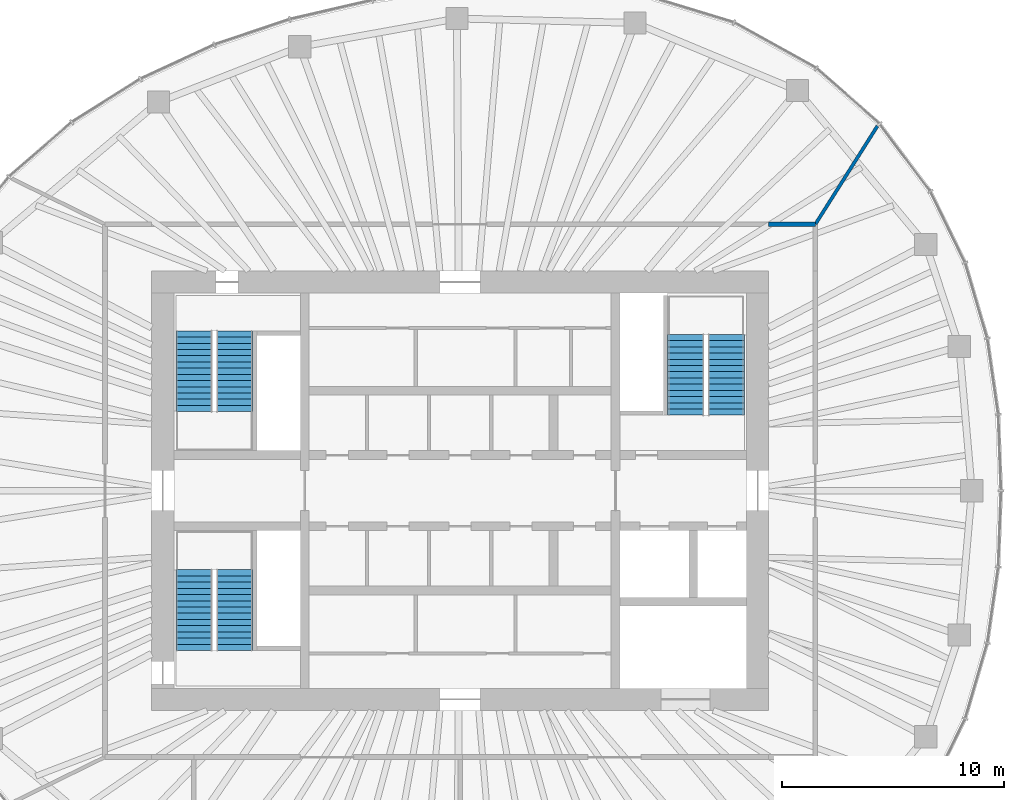
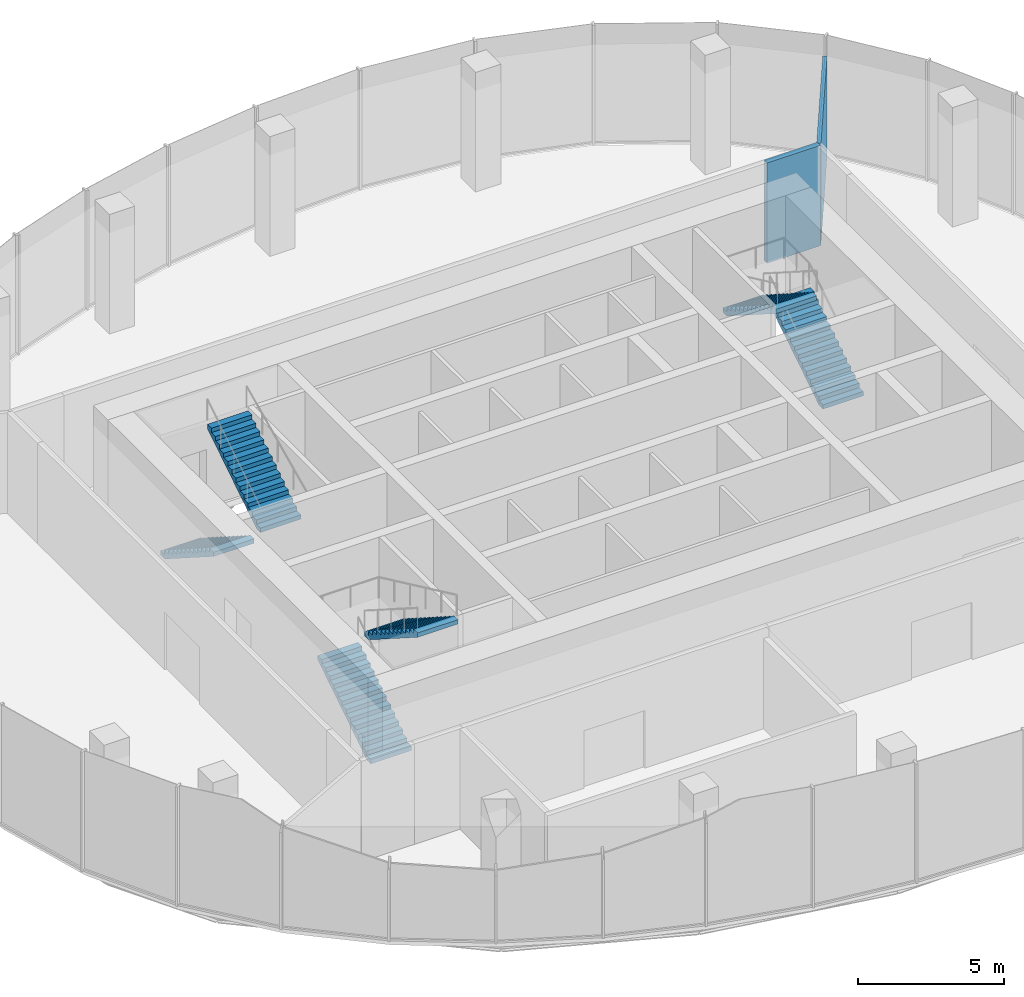
# One storey, part 10 of 11: 6 stair flights, 2 walls, 3 elements without a shape of their own.
"""IFC4 building model written with IfcOpenShell, lengths in metres."""

import ifcopenshell
import ifcopenshell.guid

model = None  # the IFC model being written
_history = None  # IfcOwnerHistory: only IFC2X3 demands one
_inside = {}  # id of a spatial element -> (the spatial element, [elements in it])
_under = {}  # id of a project, library or spatial element -> (it, [spatial elements below it])
_declared = {}  # id of a project -> (the project, [libraries it declares])
_typed = {}  # id of a type object -> (the type object, [elements of that type])
_made_of = {}  # id of a material, layer set ... -> (it, [elements and type objects made of it])


def new_model(schema):
    """Start an empty IFC model of exactly this schema.

    Asked for "IFC4X3", IfcOpenShell would pick the latest addendum, in which some entities
    have other attributes; the version numbers below select the first issue.
    IFC2X3 requires an IfcOwnerHistory on every rooted entity: one is made here for all.
    """
    global model, _history
    if schema == "IFC4X3":
        model = ifcopenshell.file(schema_version=(4, 3, 0, 0))
    else:
        model = ifcopenshell.file(schema=schema)
    _inside.clear()
    _under.clear()
    _declared.clear()
    _typed.clear()
    _made_of.clear()
    _history = None
    if model.schema == "IFC2X3":
        org = make("IfcOrganization", Name="unknown")
        user = make(
            "IfcPersonAndOrganization",
            ThePerson=make("IfcPerson", FamilyName="unknown"),
            TheOrganization=org,
        )
        app = make(
            "IfcApplication",
            ApplicationDeveloper=org,
            Version="unknown",
            ApplicationFullName="unknown",
            ApplicationIdentifier="unknown",
        )
        _history = make(
            "IfcOwnerHistory",
            OwningUser=user,
            OwningApplication=app,
            ChangeAction="ADDED",
            CreationDate=0,
        )
    return model


def make(cls, **values):
    """One entity of the class cls with the attributes given. An attribute that is None is left unset."""
    return model.create_entity(
        cls, **{name: value for name, value in values.items() if value is not None}
    )


def rooted(cls, **values):
    """An entity with a GlobalId (a new one), such as an element, a storey or a relation."""
    return make(cls, GlobalId=ifcopenshell.guid.new(), OwnerHistory=_history, **values)


def si_unit(unit_type, name, prefix=None):
    """IfcSIUnit, for example si_unit("LENGTHUNIT", "METRE", prefix="MILLI")."""
    return make("IfcSIUnit", UnitType=unit_type, Prefix=prefix, Name=name)


def assignment(units):
    """IfcUnitAssignment: the units of a project."""
    return None if units is None else make("IfcUnitAssignment", Units=units)


def point(xyz):
    """IfcCartesianPoint."""
    return None if xyz is None else make("IfcCartesianPoint", Coordinates=xyz)


def direction(xyz):
    """IfcDirection."""
    return None if xyz is None else make("IfcDirection", DirectionRatios=xyz)


def frame(location, z_axis=None, x_axis=None):
    """IfcAxis2Placement3D, a coordinate frame: its origin and axes. An axis left out is left unset."""
    return make(
        "IfcAxis2Placement3D",
        Location=point(location),
        Axis=direction(z_axis),
        RefDirection=direction(x_axis),
    )


def frame_2d(location, x_axis=None):
    """IfcAxis2Placement2D, a coordinate frame in the plane: its origin and x axis."""
    return make(
        "IfcAxis2Placement2D", Location=point(location), RefDirection=direction(x_axis)
    )


def origin():
    """The frame at (0, 0, 0) with its axes left unset."""
    return frame((0.0, 0.0, 0.0))


def place(relative_to, where):
    """IfcLocalPlacement: puts the frame where relative to a parent placement (None: the world)."""
    return make(
        "IfcLocalPlacement", PlacementRelTo=relative_to, RelativePlacement=where
    )


def context(
    kind, dimensions, precision=None, world=None, true_north=None, identifier=None
):
    """IfcGeometricRepresentationContext, for example the 3D "Model" context."""
    return make(
        "IfcGeometricRepresentationContext",
        ContextIdentifier=identifier,
        ContextType=kind,
        CoordinateSpaceDimension=dimensions,
        Precision=precision,
        WorldCoordinateSystem=world,
        TrueNorth=true_north,
    )


def subcontext(parent, identifier, kind, view, scale=None):
    """IfcGeometricRepresentationSubContext, for example "Body" below "Model"."""
    return make(
        "IfcGeometricRepresentationSubContext",
        ContextIdentifier=identifier,
        ContextType=kind,
        ParentContext=parent,
        TargetScale=scale,
        TargetView=view,
    )


def project(units=None, contexts=None):
    """IfcProject with its units and contexts."""
    return rooted(
        "IfcProject",
        Name="project",
        RepresentationContexts=contexts,
        UnitsInContext=assignment(units),
    )


def spatial(cls, under=None, at=None, **own):
    """A site, building, storey or space (cls), placed at a placement, below another one or the project."""
    s = rooted(cls, ObjectPlacement=at, **own)
    if under is not None:
        _under.setdefault(under.id(), (under, []))[1].append(s)
    return s


def polyline(points):
    """IfcPolyline through the points."""
    return make("IfcPolyline", Points=[point(p) for p in points])


def profile(cls, at=None, kind="AREA", **sizes):
    """A parametric profile (cls). Its sizes go by their IFC names, for example OverallWidth=200.0."""
    return make(cls, ProfileType=kind, Position=at, **sizes)


def rectangle(**sizes):
    """IfcRectangleProfileDef."""
    return profile("IfcRectangleProfileDef", **sizes)


def outline(outer, holes=None, kind="AREA"):
    """IfcArbitraryClosedProfileDef: a profile drawn as a closed curve; with holes, ...WithVoids."""
    if holes is None:
        return make("IfcArbitraryClosedProfileDef", ProfileType=kind, OuterCurve=outer)
    return make(
        "IfcArbitraryProfileDefWithVoids",
        ProfileType=kind,
        OuterCurve=outer,
        InnerCurves=holes,
    )


def extrude(swept, where, along, depth):
    """IfcExtrudedAreaSolid: the profile swept, set in the frame where, extruded along a direction by depth."""
    return make(
        "IfcExtrudedAreaSolid",
        SweptArea=swept,
        Position=where,
        ExtrudedDirection=direction(along),
        Depth=depth,
    )


def shape(context_of_items, identifier, shape_type, items):
    """IfcShapeRepresentation: the items that make up one representation, for example the "Body"."""
    return make(
        "IfcShapeRepresentation",
        ContextOfItems=context_of_items,
        RepresentationIdentifier=identifier,
        RepresentationType=shape_type,
        Items=items,
    )


def material(Name=None, Category=None):
    """IfcMaterial."""
    return make("IfcMaterial", Name=Name, Category=Category)


def layer(
    of_material, thickness, ventilated=None, Name=None, Category=None, Priority=None
):
    """IfcMaterialLayer: one layer of a wall or slab, of a material (None: an air gap)."""
    return make(
        "IfcMaterialLayer",
        Material=of_material,
        LayerThickness=thickness,
        IsVentilated=ventilated,
        Name=Name,
        Category=Category,
        Priority=Priority,
    )


def layer_set(layers, Name=None):
    """IfcMaterialLayerSet."""
    return make("IfcMaterialLayerSet", MaterialLayers=layers, LayerSetName=Name)


def made_of(thing, what):
    """Note that an element or type object is made of a material, layer set ...; save() writes the relation."""
    if what is not None:
        _made_of.setdefault(what.id(), (what, []))[1].append(thing)
    return thing


def type_object(cls, material=None, **own):
    """A type object (cls), such as IfcWallType, which elements share."""
    return made_of(rooted(cls, **own), material)


def element(
    cls,
    number,
    at=None,
    inside=None,
    cuts=None,
    type_object=None,
    material=None,
    context=None,
    identifier="Body",
    shape_type=None,
    held_by="IfcProductDefinitionShape",
    body=None,
    shapes=None,
    **own,
):
    """One element of the class cls, such as IfcWall. Its Tag is "e" and its number.

    at: its placement. inside: the storey or other place that contains it. cuts: it is an
    opening in that element (IfcRelVoidsElement). A single representation is given by context,
    identifier, shape_type and body (its items); several are given by shapes. held_by: the class
    of the entity that holds the representations. save() writes the other relations.
    """
    e = rooted(cls, Tag="e%d" % number, ObjectPlacement=at, **own)
    if body is not None:
        shapes = [shape(context, identifier, shape_type, body)]
    if shapes is not None:
        e.Representation = make(held_by, Representations=shapes)
    if inside is not None:
        _inside.setdefault(inside.id(), (inside, []))[1].append(e)
    if cuts is not None:
        rooted(
            "IfcRelVoidsElement", RelatingBuildingElement=cuts, RelatedOpeningElement=e
        )
    if type_object is not None:
        _typed.setdefault(type_object.id(), (type_object, []))[1].append(e)
    return made_of(e, material)


def aggregate(whole, parts):
    """IfcRelAggregates: a whole, such as a stair, and the parts it consists of."""
    return rooted("IfcRelAggregates", RelatingObject=whole, RelatedObjects=parts)


def save(model, path):
    """Write the relations noted so far, then the file.

    IfcRelAggregates (storeys below a building ...), IfcRelContainedInSpatialStructure (elements
    in a storey), IfcRelDefinesByType, IfcRelAssociatesMaterial and IfcRelDeclares: one each for
    every whole, place, type object, material and project.
    """
    for whole, parts in _under.values():
        aggregate(whole, parts)
    for where, things in _inside.values():
        rooted(
            "IfcRelContainedInSpatialStructure",
            RelatedElements=things,
            RelatingStructure=where,
        )
    for kind, things in _typed.values():
        rooted("IfcRelDefinesByType", RelatedObjects=things, RelatingType=kind)
    for what, things in _made_of.values():
        rooted("IfcRelAssociatesMaterial", RelatedObjects=things, RelatingMaterial=what)
    for by, libraries in _declared.values():
        rooted("IfcRelDeclares", RelatingContext=by, RelatedDefinitions=libraries)
    model.write(path)


model = new_model("IFC4")

# Units and contexts
model_context = context("Model", 3, precision=1e-05, world=origin(), true_north=direction((0.0, 1.0)))
body_context = subcontext(model_context, "Body", "Model", "MODEL_VIEW")
ifc_project = project(units=[si_unit("LENGTHUNIT", "METRE"), si_unit("AREAUNIT", "SQUARE_METRE"), si_unit("VOLUMEUNIT", "CUBIC_METRE"), si_unit("PLANEANGLEUNIT", "RADIAN"), si_unit("MASSUNIT", "GRAM", prefix="KILO")], contexts=[model_context])

# Site, building, storey
site_placement = place(None, origin())
site = spatial("IfcSite", under=ifc_project, at=site_placement, CompositionType="ELEMENT")
building_placement = place(site_placement, origin())
building = spatial("IfcBuilding", under=site, at=building_placement, Name="Ghaith Harvest Tower", CompositionType="ELEMENT")
storey_placement = place(building_placement, frame((0.0, 0.0, 339.199951171875)))
storey = spatial("IfcBuildingStorey", under=building, at=storey_placement, Name="L76", CompositionType="ELEMENT", Elevation=339.199951171875)

# Walls
ifc_material_1 = material(Name="Concrete blockwork, 1-hour", Category="masonry")
ifc_layer_1 = layer(ifc_material_1, 0.215087890625)
ifc_layer_set_1 = layer_set([ifc_layer_1], Name="BLOCKWORK WALL 215")
wall_type_1 = type_object("IfcWallType", Name="BLOCKWORK WALL 215", PredefinedType="PARTITIONING", material=ifc_layer_set_1)
wall_1_placement = place(storey_placement, frame((16.0, 12.0, 0.0), z_axis=(0.0, 0.0, 1.0), x_axis=(-1.0, 0.0, 0.0)))
element("IfcWall", 1, at=wall_1_placement, inside=storey, type_object=wall_type_1, Name="Plant room wall L76", PredefinedType="PARTITIONING", context=body_context, shape_type="SweptSolid", body=[
    extrude(rectangle(XDim=2.10009765625, YDim=0.215087890625, at=frame_2d((1.050048828125, 0.0))), origin(), (0.0, 0.0, 1.0), 4.199951171875),
])
ifc_material_2 = material(Name="Gypsum board on steel studs", Category="steel")
ifc_layer_2 = layer(ifc_material_2, 0.14990234375)
ifc_layer_set_2 = layer_set([ifc_layer_2], Name="PARTITION 150")
wall_type_2 = type_object("IfcWallType", Name="PARTITION 150", PredefinedType="PARTITIONING", material=ifc_layer_set_2)
wall_2_placement = place(storey_placement, frame((16.0107421875, 12.016845703125, 0.0), z_axis=(0.0, 0.0, 1.0), x_axis=(0.53415837449, 0.845384427916, 0.0)))
element("IfcWall", 2, at=wall_2_placement, inside=storey, type_object=wall_type_2, Name="Partition L76 zone division", PredefinedType="PARTITIONING", context=body_context, shape_type="SweptSolid", body=[
    extrude(rectangle(XDim=5.220458984375, YDim=0.14990234375, at=frame_2d((2.6103515625, 0.0))), origin(), (0.0, 0.0, 1.0), 4.199951171875),
])

# Stair, stair flights
ifc_material_3 = material(Name="Concrete C40/50, precast", Category="concrete")
stair_type = type_object("IfcStairType", Name="CORE STAIR 28R", PredefinedType="HALF_TURN_STAIR", material=ifc_material_3)
stair_1_placement = place(storey_placement, origin())
stair_1 = element("IfcStair", 3, at=stair_1_placement, inside=storey, type_object=stair_type, Name="Stair ST1 L76", PredefinedType="HALF_TURN_STAIR")
ifc_material_4 = material(Name="Concrete C40/50, precast", Category="concrete")
stair_flight_type = type_object("IfcStairFlightType", Name="CORE FLIGHT 14R 1600", PredefinedType="STRAIGHT", material=ifc_material_4)
stair_flight_1_placement = place(storey_placement, frame((-12.0, 7.199951171875, 0.0), z_axis=(0.0, 0.0, 1.0), x_axis=(0.0, -1.0, 0.0)))
stair_flight_1 = element("IfcStairFlight", 4, at=stair_flight_1_placement, type_object=stair_flight_type, Name="ST1 flight 1", NumberOfRisers=14, NumberOfTreads=13, PredefinedType="STRAIGHT", RiserHeight=0.178571429, TreadLength=0.28, context=body_context, shape_type="SweptSolid", body=[
    extrude(outline(polyline([(0.0, 0.0), (0.0, 0.178466796875), (0.280029296875, 0.178466796875), (0.280029296875, 0.357177734375), (0.56005859375, 0.357177734375), (0.56005859375, 0.53564453125), (0.840087890625, 0.53564453125), (0.840087890625, 0.71435546875), (1.1201171875, 0.71435546875), (1.1201171875, 0.892822265625), (1.39990234375, 0.892822265625), (1.39990234375, 1.071533203125), (1.679931640625, 1.071533203125), (1.679931640625, 1.25), (1.9599609375, 1.25), (1.9599609375, 1.428466796875), (2.239990234375, 1.428466796875), (2.239990234375, 1.607177734375), (2.52001953125, 1.607177734375), (2.52001953125, 1.78564453125), (2.800048828125, 1.78564453125), (2.800048828125, 1.96435546875), (3.080078125, 1.96435546875), (3.080078125, 2.142822265625), (3.360107421875, 2.142822265625), (3.360107421875, 2.321533203125), (3.639892578125, 2.321533203125), (3.639892578125, 2.5), (3.639892578125, 2.1435546875), (0.27880859375, 0.0), (0.0, 0.0)])), frame((0.0, 0.800048828125, 0.0), z_axis=(0.0, -1.0, 0.0), x_axis=(1.0, 0.0, 0.0)), (0.0, 0.0, 1.0), 1.60009765625),
])
stair_flight_2_placement = place(storey_placement, frame((-10.14990234375, 3.56005859375, 2.5), z_axis=(0.0, 0.0, 1.0), x_axis=(0.0, 1.0, 0.0)))
stair_flight_2 = element("IfcStairFlight", 5, at=stair_flight_2_placement, type_object=stair_flight_type, Name="ST1 flight 2", NumberOfRisers=14, NumberOfTreads=13, PredefinedType="STRAIGHT", RiserHeight=0.178571429, TreadLength=0.28, context=body_context, shape_type="SweptSolid", body=[
    extrude(outline(polyline([(0.0, 0.0), (0.0, 0.178466796875), (0.280029296875, 0.178466796875), (0.280029296875, 0.357177734375), (0.56005859375, 0.357177734375), (0.56005859375, 0.53564453125), (0.840087890625, 0.53564453125), (0.840087890625, 0.71435546875), (1.1201171875, 0.71435546875), (1.1201171875, 0.892822265625), (1.39990234375, 0.892822265625), (1.39990234375, 1.071533203125), (1.679931640625, 1.071533203125), (1.679931640625, 1.25), (1.9599609375, 1.25), (1.9599609375, 1.428466796875), (2.239990234375, 1.428466796875), (2.239990234375, 1.607177734375), (2.52001953125, 1.607177734375), (2.52001953125, 1.78564453125), (2.800048828125, 1.78564453125), (2.800048828125, 1.96435546875), (3.080078125, 1.96435546875), (3.080078125, 2.142822265625), (3.360107421875, 2.142822265625), (3.360107421875, 2.321533203125), (3.639892578125, 2.321533203125), (3.639892578125, 2.5), (3.639892578125, 2.1435546875), (0.27880859375, 0.0), (0.0, 0.0)])), frame((0.0, 0.800048828125, 0.0), z_axis=(0.0, -1.0, 0.0), x_axis=(1.0, 0.0, 0.0)), (0.0, 0.0, 1.0), 1.60009765625),
])
aggregate(stair_1, [stair_flight_1, stair_flight_2])

stair_2_placement = place(storey_placement, origin())
stair_2 = element("IfcStair", 6, at=stair_2_placement, inside=storey, type_object=stair_type, Name="Stair ST3 L76", PredefinedType="HALF_TURN_STAIR")
stair_flight_3_placement = place(storey_placement, frame((-12.0, -7.199951171875, 0.0), z_axis=(0.0, 0.0, 1.0), x_axis=(0.0, 1.0, 0.0)))
stair_flight_3 = element("IfcStairFlight", 7, at=stair_flight_3_placement, type_object=stair_flight_type, Name="ST3 flight 1", NumberOfRisers=14, NumberOfTreads=13, PredefinedType="STRAIGHT", RiserHeight=0.178571429, TreadLength=0.28, context=body_context, shape_type="SweptSolid", body=[
    extrude(outline(polyline([(0.0, 0.0), (0.0, 0.178466796875), (0.280029296875, 0.178466796875), (0.280029296875, 0.357177734375), (0.56005859375, 0.357177734375), (0.56005859375, 0.53564453125), (0.840087890625, 0.53564453125), (0.840087890625, 0.71435546875), (1.1201171875, 0.71435546875), (1.1201171875, 0.892822265625), (1.39990234375, 0.892822265625), (1.39990234375, 1.071533203125), (1.679931640625, 1.071533203125), (1.679931640625, 1.25), (1.9599609375, 1.25), (1.9599609375, 1.428466796875), (2.239990234375, 1.428466796875), (2.239990234375, 1.607177734375), (2.52001953125, 1.607177734375), (2.52001953125, 1.78564453125), (2.800048828125, 1.78564453125), (2.800048828125, 1.96435546875), (3.080078125, 1.96435546875), (3.080078125, 2.142822265625), (3.360107421875, 2.142822265625), (3.360107421875, 2.321533203125), (3.639892578125, 2.321533203125), (3.639892578125, 2.5), (3.639892578125, 2.1435546875), (0.27880859375, 0.0), (0.0, 0.0)])), frame((0.0, 0.800048828125, 0.0), z_axis=(0.0, -1.0, 0.0), x_axis=(1.0, 0.0, 0.0)), (0.0, 0.0, 1.0), 1.60009765625),
])
stair_flight_4_placement = place(storey_placement, frame((-10.14990234375, -3.56005859375, 2.5), z_axis=(0.0, 0.0, 1.0), x_axis=(0.0, -1.0, 0.0)))
stair_flight_4 = element("IfcStairFlight", 8, at=stair_flight_4_placement, type_object=stair_flight_type, Name="ST3 flight 2", NumberOfRisers=14, NumberOfTreads=13, PredefinedType="STRAIGHT", RiserHeight=0.178571429, TreadLength=0.28, context=body_context, shape_type="SweptSolid", body=[
    extrude(outline(polyline([(0.0, 0.0), (0.0, 0.178466796875), (0.280029296875, 0.178466796875), (0.280029296875, 0.357177734375), (0.56005859375, 0.357177734375), (0.56005859375, 0.53564453125), (0.840087890625, 0.53564453125), (0.840087890625, 0.71435546875), (1.1201171875, 0.71435546875), (1.1201171875, 0.892822265625), (1.39990234375, 0.892822265625), (1.39990234375, 1.071533203125), (1.679931640625, 1.071533203125), (1.679931640625, 1.25), (1.9599609375, 1.25), (1.9599609375, 1.428466796875), (2.239990234375, 1.428466796875), (2.239990234375, 1.607177734375), (2.52001953125, 1.607177734375), (2.52001953125, 1.78564453125), (2.800048828125, 1.78564453125), (2.800048828125, 1.96435546875), (3.080078125, 1.96435546875), (3.080078125, 2.142822265625), (3.360107421875, 2.142822265625), (3.360107421875, 2.321533203125), (3.639892578125, 2.321533203125), (3.639892578125, 2.5), (3.639892578125, 2.1435546875), (0.27880859375, 0.0), (0.0, 0.0)])), frame((0.0, 0.800048828125, 0.0), z_axis=(0.0, -1.0, 0.0), x_axis=(1.0, 0.0, 0.0)), (0.0, 0.0, 1.0), 1.60009765625),
])
aggregate(stair_2, [stair_flight_3, stair_flight_4])

stair_3_placement = place(storey_placement, origin())
stair_3 = element("IfcStair", 9, at=stair_3_placement, inside=storey, type_object=stair_type, Name="Stair ST2 L76", PredefinedType="HALF_TURN_STAIR")
stair_flight_5_placement = place(storey_placement, frame((12.0, 3.39990234375, 0.0), z_axis=(0.0, 0.0, 1.0), x_axis=(0.0, 1.0, 0.0)))
stair_flight_5 = element("IfcStairFlight", 10, at=stair_flight_5_placement, type_object=stair_flight_type, Name="ST2 flight 1", NumberOfRisers=14, NumberOfTreads=13, PredefinedType="STRAIGHT", RiserHeight=0.178571429, TreadLength=0.28, context=body_context, shape_type="SweptSolid", body=[
    extrude(outline(polyline([(0.0, 0.0), (0.0, 0.178466796875), (0.280029296875, 0.178466796875), (0.280029296875, 0.357177734375), (0.56005859375, 0.357177734375), (0.56005859375, 0.53564453125), (0.840087890625, 0.53564453125), (0.840087890625, 0.71435546875), (1.1201171875, 0.71435546875), (1.1201171875, 0.892822265625), (1.39990234375, 0.892822265625), (1.39990234375, 1.071533203125), (1.679931640625, 1.071533203125), (1.679931640625, 1.25), (1.9599609375, 1.25), (1.9599609375, 1.428466796875), (2.239990234375, 1.428466796875), (2.239990234375, 1.607177734375), (2.52001953125, 1.607177734375), (2.52001953125, 1.78564453125), (2.800048828125, 1.78564453125), (2.800048828125, 1.96435546875), (3.080078125, 1.96435546875), (3.080078125, 2.142822265625), (3.360107421875, 2.142822265625), (3.360107421875, 2.321533203125), (3.639892578125, 2.321533203125), (3.639892578125, 2.5), (3.639892578125, 2.1435546875), (0.27880859375, 0.0), (0.0, 0.0)])), frame((0.0, 0.800048828125, 0.0), z_axis=(0.0, -1.0, 0.0), x_axis=(1.0, 0.0, 0.0)), (0.0, 0.0, 1.0), 1.60009765625),
])
stair_flight_6_placement = place(storey_placement, frame((10.14990234375, 7.0400390625, 2.5), z_axis=(0.0, 0.0, 1.0), x_axis=(0.0, -1.0, 0.0)))
stair_flight_6 = element("IfcStairFlight", 11, at=stair_flight_6_placement, type_object=stair_flight_type, Name="ST2 flight 2", NumberOfRisers=14, NumberOfTreads=13, PredefinedType="STRAIGHT", RiserHeight=0.178571429, TreadLength=0.28, context=body_context, shape_type="SweptSolid", body=[
    extrude(outline(polyline([(0.0, 0.0), (0.0, 0.178466796875), (0.280029296875, 0.178466796875), (0.280029296875, 0.357177734375), (0.56005859375, 0.357177734375), (0.56005859375, 0.53564453125), (0.840087890625, 0.53564453125), (0.840087890625, 0.71435546875), (1.1201171875, 0.71435546875), (1.1201171875, 0.892822265625), (1.39990234375, 0.892822265625), (1.39990234375, 1.071533203125), (1.679931640625, 1.071533203125), (1.679931640625, 1.25), (1.9599609375, 1.25), (1.9599609375, 1.428466796875), (2.239990234375, 1.428466796875), (2.239990234375, 1.607177734375), (2.52001953125, 1.607177734375), (2.52001953125, 1.78564453125), (2.800048828125, 1.78564453125), (2.800048828125, 1.96435546875), (3.080078125, 1.96435546875), (3.080078125, 2.142822265625), (3.360107421875, 2.142822265625), (3.360107421875, 2.321533203125), (3.639892578125, 2.321533203125), (3.639892578125, 2.5), (3.639892578125, 2.1435546875), (0.27880859375, 0.0), (0.0, 0.0)])), frame((0.0, 0.800048828125, 0.0), z_axis=(0.0, -1.0, 0.0), x_axis=(1.0, 0.0, 0.0)), (0.0, 0.0, 1.0), 1.60009765625),
])
aggregate(stair_3, [stair_flight_5, stair_flight_6])

save(model, "model.ifc")
